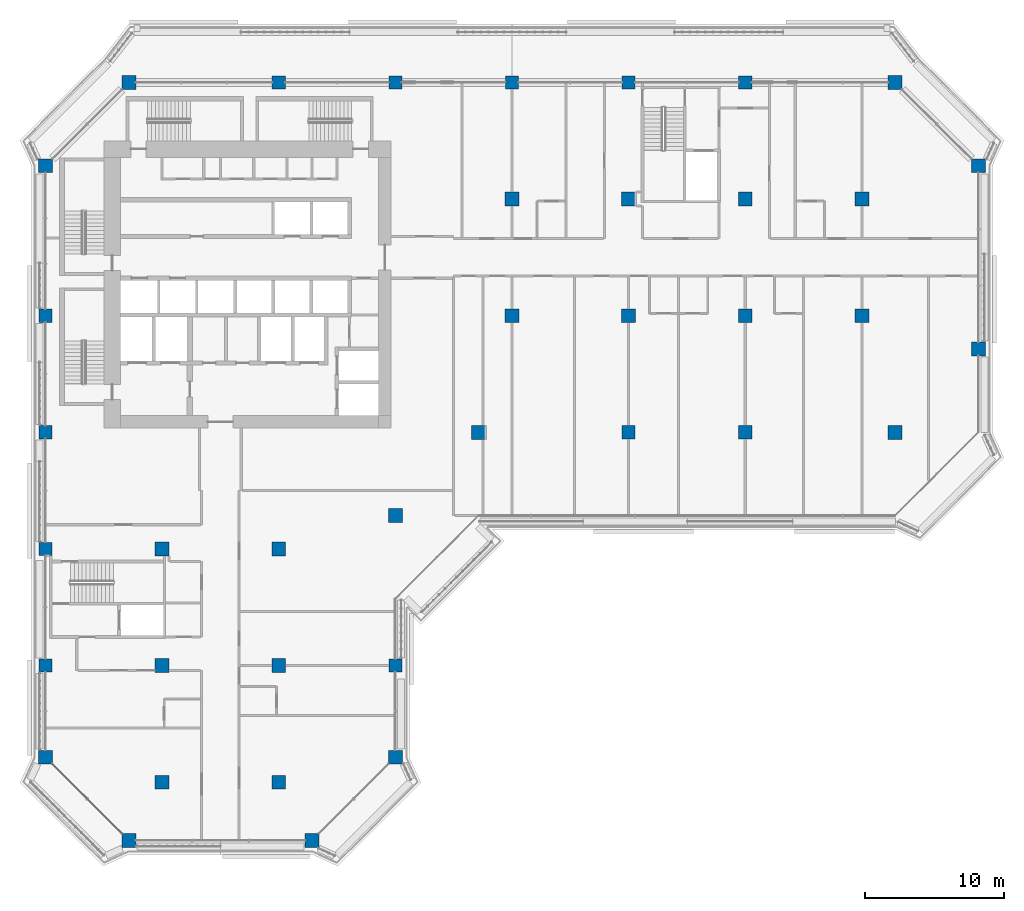
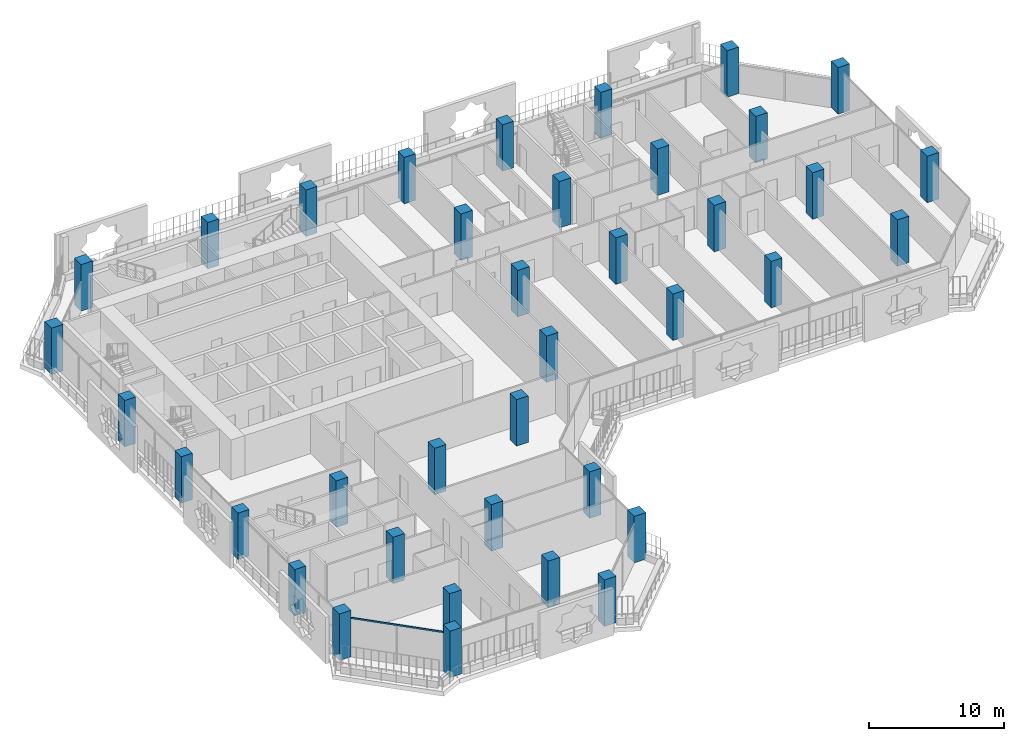
# One storey, part 1 of 22: 38 columns, 1 member, 1 element without a shape of its own.
"""IFC4 building model written with IfcOpenShell, lengths in metres."""

from ifc_helpers import new_model, si_unit, direction, frame, origin, origin_2d, place, context, subcontext, project, spatial, rectangle, extrude, material, layer, layer_set, material_profile, profile_set, type_object, element, aggregate, save


model = new_model("IFC4")

# Units and contexts
model_context = context("Model", 3, precision=1e-05, world=origin(), true_north=direction((0.0, 1.0)))
body_context = subcontext(model_context, "Body", "Model", "MODEL_VIEW")
ifc_project = project(units=[si_unit("LENGTHUNIT", "METRE"), si_unit("AREAUNIT", "SQUARE_METRE"), si_unit("VOLUMEUNIT", "CUBIC_METRE"), si_unit("PLANEANGLEUNIT", "RADIAN"), si_unit("MASSUNIT", "GRAM", prefix="KILO")], contexts=[model_context])

# Site, building, storey
site_placement = place(None, origin())
site = spatial("IfcSite", under=ifc_project, at=site_placement, CompositionType="ELEMENT")
building_placement = place(site_placement, origin())
building = spatial("IfcBuilding", under=site, at=building_placement, Name="Kawkab Arch Medical Tower", CompositionType="ELEMENT")
storey_placement = place(building_placement, frame((0.0, 0.0, 196.199951171875)))
storey = spatial("IfcBuildingStorey", under=building, at=storey_placement, Name="L45", CompositionType="ELEMENT", Elevation=196.199951171875)

# Columns
ifc_material_1 = material(Name="Concrete C50/60", Category="concrete")
ifc_material_profile_1 = material_profile(ifc_material_1, rectangle(XDim=1.0, YDim=1.0, at=origin_2d()), Name="RC 1000x1000")
ifc_profile_set_1 = profile_set([ifc_material_profile_1], Name="Concrete C50/60")
column_type_1 = type_object("IfcColumnType", Name="RC 1000x1000 column C50/60", PredefinedType="COLUMN", material=ifc_profile_set_1)
for number, where, z_axis, x_axis, name in (
    (1, (6.0, 0.0, 0.0), (0.0, 0.0, 1.0), (1.0, 0.0, 0.0), "Column RC 1000x1000"),
    (2, (61.199951171875, 0.0, 0.0), (0.0, 0.0, 1.0), (1.0, 0.0, 0.0), "Column RC 1000x1000"),
    (3, (0.0, -6.0, 0.0), (0.0, 0.0, 1.0), (1.0, 0.0, 0.0), "Column RC 1000x1000"),
    (4, (67.199951171875, -6.0, 0.0), (0.0, 0.0, 1.0), (1.0, 0.0, 0.0), "Column RC 1000x1000"),
    (5, (33.60009765625, -8.39990234375, 0.0), (0.0, 0.0, 1.0), (1.0, 0.0, 0.0), "Column RC 1000x1000"),
    (6, (42.0, -8.39990234375, 0.0), (0.0, 0.0, 1.0), (1.0, 0.0, 0.0), "Column RC 1000x1000"),
    (7, (50.39990234375, -8.39990234375, 0.0), (0.0, 0.0, 1.0), (1.0, 0.0, 0.0), "Column RC 1000x1000"),
    (8, (58.800048828125, -8.39990234375, 0.0), (0.0, 0.0, 1.0), (1.0, 0.0, 0.0), "Column RC 1000x1000"),
    (9, (33.60009765625, -16.800048828125, 0.0), (0.0, 0.0, 1.0), (1.0, 0.0, 0.0), "Column RC 1000x1000"),
    (10, (42.0, -16.800048828125, 0.0), (0.0, 0.0, 1.0), (1.0, 0.0, 0.0), "Column RC 1000x1000"),
    (11, (50.39990234375, -16.800048828125, 0.0), (0.0, 0.0, 1.0), (1.0, 0.0, 0.0), "Column RC 1000x1000"),
    (12, (58.800048828125, -16.800048828125, 0.0), (0.0, 0.0, 1.0), (1.0, 0.0, 0.0), "Column RC 1000x1000"),
    (13, (67.199951171875, -19.199951171875, 0.0), (0.0, 0.0, 1.0), (1.0, 0.0, 0.0), "Column RC 1000x1000"),
    (14, (31.199951171875, -25.199951171875, 0.0), (0.0, 0.0, 1.0), (1.0, 0.0, 0.0), "Column RC 1000x1000"),
    (15, (61.199951171875, -25.199951171875, 0.0), (0.0, 0.0, 1.0), (1.0, 0.0, 0.0), "Column RC 1000x1000"),
    (16, (25.199951171875, -31.199951171875, 0.0), (0.0, 0.0, 1.0), (1.0, 0.0, 0.0), "Column RC 1000x1000"),
    (17, (8.39990234375, -33.60009765625, 0.0), (0.0, 0.0, 1.0), (1.0, 0.0, 0.0), "Column RC 1000x1000"),
    (18, (16.800048828125, -33.60009765625, 0.0), (0.0, 0.0, 1.0), (1.0, 0.0, 0.0), "Column RC 1000x1000"),
    (19, (8.39990234375, -42.0, 0.0), (0.0, 0.0, 1.0), (1.0, 0.0, 0.0), "Column RC 1000x1000"),
    (20, (16.800048828125, -42.0, 0.0), (0.0, 0.0, 1.0), (1.0, 0.0, 0.0), "Column RC 1000x1000"),
    (21, (0.0, -48.60009765625, 0.0), (0.0, 0.0, 1.0), (1.0, 0.0, 0.0), "Column RC 1000x1000"),
    (22, (25.199951171875, -48.60009765625, 0.0), (0.0, 0.0, 1.0), (1.0, 0.0, 0.0), "Column RC 1000x1000"),
    (23, (8.39990234375, -50.39990234375, 0.0), (0.0, 0.0, 1.0), (1.0, 0.0, 0.0), "Column RC 1000x1000"),
    (24, (16.800048828125, -50.39990234375, 0.0), (0.0, 0.0, 1.0), (1.0, 0.0, 0.0), "Column RC 1000x1000"),
    (25, (6.0, -54.60009765625, 0.0), (0.0, 0.0, 1.0), (1.0, 0.0, 0.0), "Column RC 1000x1000"),
    (26, (19.199951171875, -54.60009765625, 0.0), (0.0, 0.0, 1.0), (1.0, 0.0, 0.0), "Column RC 1000x1000"),
):
    element("IfcColumn", number, at=place(storey_placement, frame(where, z_axis=z_axis, x_axis=x_axis)), inside=storey, type_object=column_type_1, Name=name, PredefinedType="COLUMN", context=body_context, shape_type="SweptSolid", body=[
        extrude(rectangle(XDim=1.0, YDim=1.0, at=origin_2d()), origin(), (0.0, 0.0, 1.0), 4.199951171875),
    ])
ifc_material_2 = material(Name="Concrete C50/60", Category="concrete")
ifc_material_profile_2 = material_profile(ifc_material_2, rectangle(XDim=0.949951171875, YDim=0.949951171875, at=origin_2d()), Name="RC 950x950")
ifc_profile_set_2 = profile_set([ifc_material_profile_2], Name="Concrete C50/60")
column_type_2 = type_object("IfcColumnType", Name="RC 950x950 column C50/60", PredefinedType="COLUMN", material=ifc_profile_set_2)
for number, where, z_axis, x_axis, name in (
    (27, (16.800048828125, 0.0, 0.0), (0.0, 0.0, 1.0), (1.0, 0.0, 0.0), "Column RC 950x950"),
    (28, (25.199951171875, 0.0, 0.0), (0.0, 0.0, 1.0), (1.0, 0.0, 0.0), "Column RC 950x950"),
    (29, (33.60009765625, 0.0, 0.0), (0.0, 0.0, 1.0), (1.0, 0.0, 0.0), "Column RC 950x950"),
    (30, (42.0, 0.0, 0.0), (0.0, 0.0, 1.0), (1.0, 0.0, 0.0), "Column RC 950x950"),
    (31, (50.39990234375, 0.0, 0.0), (0.0, 0.0, 1.0), (1.0, 0.0, 0.0), "Column RC 950x950"),
    (32, (0.0, -16.800048828125, 0.0), (0.0, 0.0, 1.0), (1.0, 0.0, 0.0), "Column RC 950x950"),
    (33, (0.0, -25.199951171875, 0.0), (0.0, 0.0, 1.0), (1.0, 0.0, 0.0), "Column RC 950x950"),
    (34, (42.0, -25.199951171875, 0.0), (0.0, 0.0, 1.0), (1.0, 0.0, 0.0), "Column RC 950x950"),
    (35, (50.39990234375, -25.199951171875, 0.0), (0.0, 0.0, 1.0), (1.0, 0.0, 0.0), "Column RC 950x950"),
    (36, (0.0, -33.60009765625, 0.0), (0.0, 0.0, 1.0), (1.0, 0.0, 0.0), "Column RC 950x950"),
    (37, (0.0, -42.0, 0.0), (0.0, 0.0, 1.0), (1.0, 0.0, 0.0), "Column RC 950x950"),
    (38, (25.199951171875, -42.0, 0.0), (0.0, 0.0, 1.0), (1.0, 0.0, 0.0), "Column RC 950x950"),
):
    element("IfcColumn", number, at=place(storey_placement, frame(where, z_axis=z_axis, x_axis=x_axis)), inside=storey, type_object=column_type_2, Name=name, PredefinedType="COLUMN", context=body_context, shape_type="SweptSolid", body=[
        extrude(rectangle(XDim=0.949951171875, YDim=0.949951171875, at=origin_2d()), origin(), (0.0, 0.0, 1.0), 4.199951171875),
    ])

# Curtain wall, member
ifc_material_3 = material(Name="Bronze anodised aluminium curtain wall frame", Category="aluminium")
ifc_layer = layer(ifc_material_3, 0.159912109375)
ifc_layer_set = layer_set([ifc_layer], Name="Bronze anodised aluminium curtain wall frame")
curtain_wall_type = type_object("IfcCurtainWallType", Name="CW2 chamfer curtain wall", PredefinedType="NOTDEFINED", material=ifc_layer_set)
curtain_wall_placement = place(storey_placement, origin())
curtain_wall = element("IfcCurtainWall", 39, at=curtain_wall_placement, inside=storey, type_object=curtain_wall_type, Name="CW2 Chamfer curtain wall R02", PredefinedType="NOTDEFINED")
ifc_material_4 = material(Name="Bronze anodised aluminium curtain wall frame", Category="aluminium")
ifc_material_profile_3 = material_profile(ifc_material_4, rectangle(XDim=0.06005859375, YDim=0.139892578125, at=origin_2d()), Name="AL 60x140")
ifc_profile_set_3 = profile_set([ifc_material_profile_3], Name="Bronze anodised aluminium curtain wall frame")
member_type = type_object("IfcMemberType", Name="CW2 transom 140 x 60", PredefinedType="USERDEFINED", material=ifc_profile_set_3)
member_placement = place(storey_placement, frame((0.5, -49.10009765625, 3.530029296875), z_axis=(0.707106781187, -0.707106781187, 0.0), x_axis=(0.707106781187, 0.707106781187, 0.0)))
member = element("IfcMember", 40, at=member_placement, type_object=member_type, Name="CW2 transom 1", ObjectType="TRANSOM", PredefinedType="USERDEFINED", context=body_context, shape_type="SweptSolid", body=[
    extrude(rectangle(XDim=0.06005859375, YDim=0.139892578125, at=origin_2d()), origin(), (0.0, 0.0, 1.0), 7.071044921875),
])
aggregate(curtain_wall, [member])

save(model, "model.ifc")
